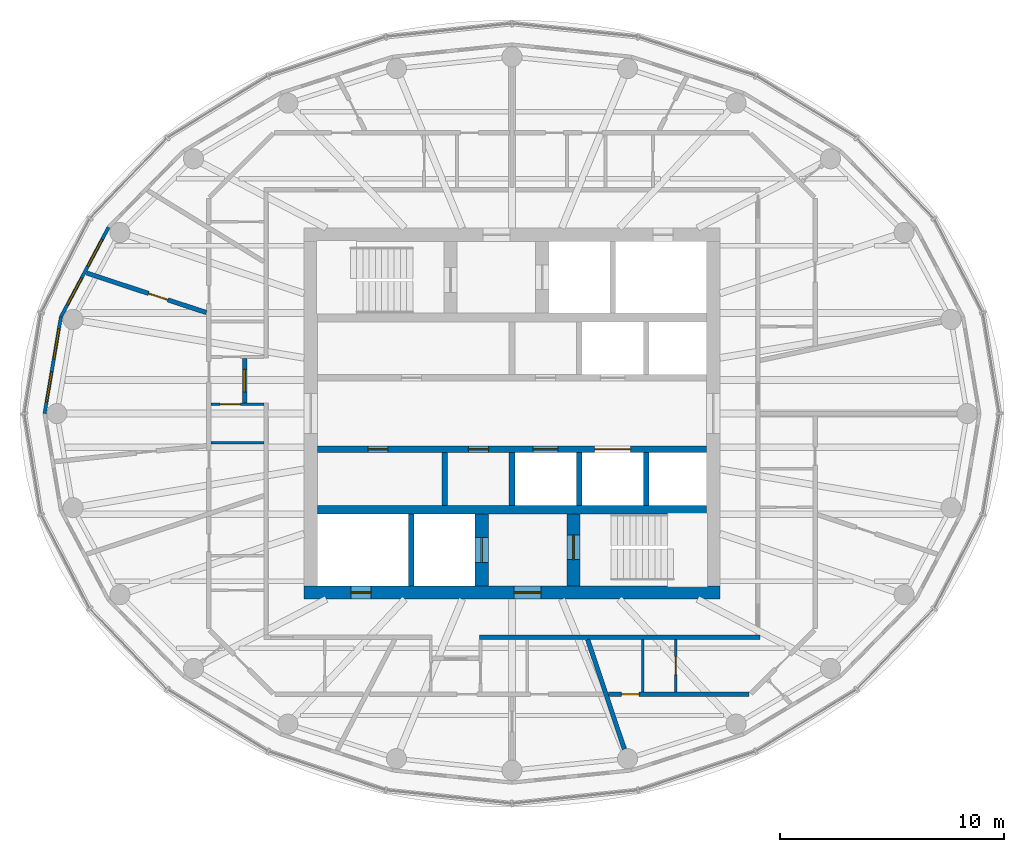
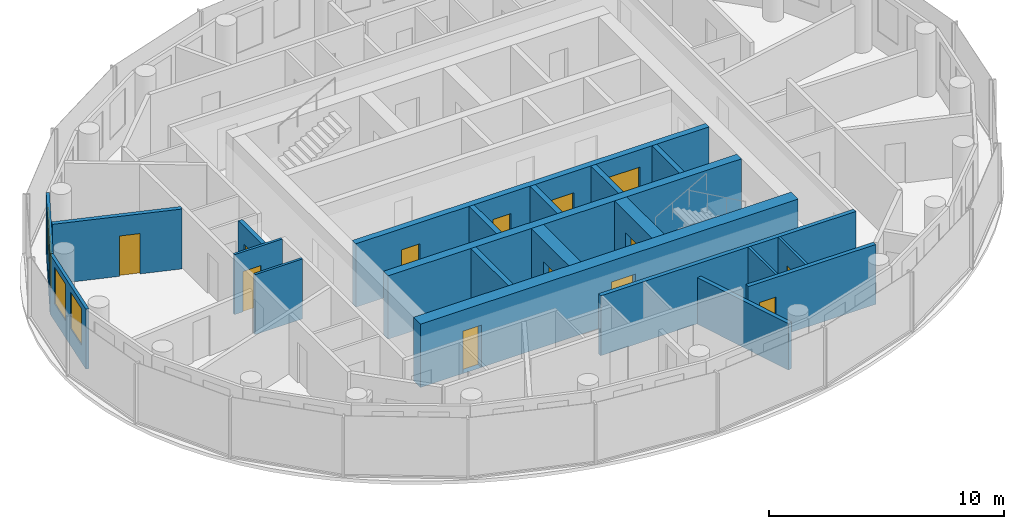
# One storey, part 6 of 11: 21 walls, 13 doors, 4 windows, 17 openings.
"""IFC4 building model written with IfcOpenShell, lengths in metres."""

from ifc_helpers import new_model, si_unit, direction, frame, frame_2d, origin, place, context, subcontext, project, spatial, rectangle, extrude, material, layer, layer_set, type_object, element, fill, save


model = new_model("IFC4")

# Units and contexts
model_context = context("Model", 3, precision=1e-05, world=origin(), true_north=direction((0.0, 1.0)))
body_context = subcontext(model_context, "Body", "Model", "MODEL_VIEW")
ifc_project = project(units=[si_unit("LENGTHUNIT", "METRE"), si_unit("AREAUNIT", "SQUARE_METRE"), si_unit("VOLUMEUNIT", "CUBIC_METRE"), si_unit("PLANEANGLEUNIT", "RADIAN"), si_unit("MASSUNIT", "GRAM", prefix="KILO")], contexts=[model_context])

# Site, building, storey
site_placement = place(None, origin())
site = spatial("IfcSite", under=ifc_project, at=site_placement, CompositionType="ELEMENT")
building_placement = place(site_placement, origin())
building = spatial("IfcBuilding", under=site, at=building_placement, Name="Hankou Lantern Tower", CompositionType="ELEMENT")
storey_placement = place(building_placement, frame((0.0, 0.0, 202.800048828125)))
storey = spatial("IfcBuildingStorey", under=building, at=storey_placement, Name="L54", CompositionType="ELEMENT", Elevation=202.800048828125)

# Wall, openings, doors
ifc_material_1 = material(Name="Concrete C60", Category="concrete")
ifc_layer_1 = layer(ifc_material_1, 0.60009765625)
ifc_layer_set_1 = layer_set([ifc_layer_1], Name="Concrete C60")
wall_type_1 = type_object("IfcWallType", Name="CW3 CORE WALL 600", PredefinedType="SHEAR", material=ifc_layer_set_1)
wall_1_placement = place(storey_placement, frame((9.300048828125, -8.0, 0.0), z_axis=(0.0, 0.0, 1.0), x_axis=(-1.0, 0.0, 0.0)))
wall_1 = element("IfcWall", 1, at=wall_1_placement, inside=storey, type_object=wall_type_1, Name="Core wall south L54", PredefinedType="SHEAR", context=body_context, shape_type="SweptSolid", body=[
    extrude(rectangle(XDim=18.60009765625, YDim=0.60009765625, at=frame_2d((9.300048828125, 0.0))), origin(), (0.0, 0.0, 1.0), 3.300048828125),
])
opening_1_placement = place(wall_1_placement, frame((8.0, 0.0, 0.0)))
opening_1 = element("IfcOpeningElement", 2, at=opening_1_placement, cuts=wall_1, Name="Opening D5", PredefinedType="OPENING", context=body_context, shape_type="SweptSolid", body=[
    extrude(rectangle(XDim=1.199951171875, YDim=2.199951171875, at=frame_2d((0.60009765625, 1.10009765625))), frame((0.0, 0.31005859375, 0.0), z_axis=(0.0, -1.0, 0.0), x_axis=(1.0, 0.0, 0.0)), (0.0, 0.0, 1.0), 0.6201171875),
])
opening_2_placement = place(wall_1_placement, frame((15.60009765625, 0.0, 0.0)))
opening_2 = element("IfcOpeningElement", 3, at=opening_2_placement, cuts=wall_1, Name="Opening D7", PredefinedType="OPENING", context=body_context, shape_type="SweptSolid", body=[
    extrude(rectangle(XDim=0.89990234375, YDim=2.199951171875, at=frame_2d((0.449951171875, 1.10009765625))), frame((0.0, 0.31005859375, 0.0), z_axis=(0.0, -1.0, 0.0), x_axis=(1.0, 0.0, 0.0)), (0.0, 0.0, 1.0), 0.6201171875),
])
ifc_material_2 = material(Name="Steel door leaf", Category="steel")
door_type_1 = type_object("IfcDoorType", Name="D5 STAIR LOBBY DOOR 1200X2200", OperationType="SINGLE_SWING_LEFT", PredefinedType="DOOR", material=ifc_material_2)
door_1_placement = place(opening_1_placement, origin())
door_1 = element("IfcDoor", 4, at=door_1_placement, inside=storey, type_object=door_type_1, Name="Stair B lobby door", OperationType="SINGLE_SWING_LEFT", OverallHeight=2.199951171875, OverallWidth=1.199951171875, PredefinedType="DOOR", context=body_context, shape_type="SweptSolid", body=[
    extrude(rectangle(XDim=1.199951171875, YDim=2.199951171875, at=frame_2d((0.60009765625, 1.10009765625))), frame((0.0, 0.02490234375, 0.0), z_axis=(0.0, -1.0, 0.0), x_axis=(1.0, 0.0, 0.0)), (0.0, 0.0, 1.0), 0.050048828125),
])
fill(opening_1, door_1)
ifc_material_3 = material(Name="Steel door leaf", Category="steel")
door_type_2 = type_object("IfcDoorType", Name="D7 RISER DOOR 900X2200", OperationType="SINGLE_SWING_LEFT", PredefinedType="DOOR", material=ifc_material_3)
door_2_placement = place(opening_2_placement, origin())
door_2 = element("IfcDoor", 5, at=door_2_placement, inside=storey, type_object=door_type_2, Name="Riser S1 door", OperationType="SINGLE_SWING_RIGHT", OverallHeight=2.199951171875, OverallWidth=0.89990234375, PredefinedType="DOOR", context=body_context, shape_type="SweptSolid", body=[
    extrude(rectangle(XDim=0.89990234375, YDim=2.199951171875, at=frame_2d((0.449951171875, 1.10009765625))), frame((0.0, 0.02490234375, 0.0), z_axis=(0.0, -1.0, 0.0), x_axis=(1.0, 0.0, 0.0)), (0.0, 0.0, 1.0), 0.050048828125),
])
fill(opening_2, door_2)

# Wall
ifc_material_4 = material(Name="Concrete C60", Category="concrete")
ifc_layer_2 = layer(ifc_material_4, 0.39990234375)
ifc_layer_set_2 = layer_set([ifc_layer_2], Name="Concrete C60")
wall_type_2 = type_object("IfcWallType", Name="CW4 CORE CROSS WALL 400", PredefinedType="SHEAR", material=ifc_layer_set_2)
wall_2_placement = place(storey_placement, frame((-8.699951171875, -4.300048828125, 0.0), z_axis=(0.0, 0.0, 1.0), x_axis=(1.0, 0.0, 0.0)))
element("IfcWall", 6, at=wall_2_placement, inside=storey, type_object=wall_type_2, Name="Core band wall south L54", PredefinedType="SHEAR", context=body_context, shape_type="SweptSolid", body=[
    extrude(rectangle(XDim=17.39990234375, YDim=0.39990234375, at=frame_2d((8.699951171875, 0.0))), origin(), (0.0, 0.0, 1.0), 3.300048828125),
])

# Wall, openings, doors
ifc_material_5 = material(Name="Concrete C60", Category="concrete")
ifc_layer_3 = layer(ifc_material_5, 0.300048828125)
ifc_layer_set_3 = layer_set([ifc_layer_3], Name="Concrete C60")
wall_type_3 = type_object("IfcWallType", Name="CW5 LIFT LOBBY WALL 300", PredefinedType="SHEAR", material=ifc_layer_set_3)
wall_3_placement = place(storey_placement, frame((-8.699951171875, -1.60009765625, 0.0), z_axis=(0.0, 0.0, 1.0), x_axis=(1.0, 0.0, 0.0)))
wall_3 = element("IfcWall", 7, at=wall_3_placement, inside=storey, type_object=wall_type_3, Name="Lift lobby wall south L54", PredefinedType="SHEAR", context=body_context, shape_type="SweptSolid", body=[
    extrude(rectangle(XDim=17.39990234375, YDim=0.300048828125, at=frame_2d((8.699951171875, 0.0))), origin(), (0.0, 0.0, 1.0), 3.300048828125),
])
opening_3_placement = place(wall_3_placement, frame((9.64990234375, 0.0, 0.0)))
opening_3 = element("IfcOpeningElement", 8, at=opening_3_placement, cuts=wall_3, Name="Opening LD1", PredefinedType="OPENING", context=body_context, shape_type="SweptSolid", body=[
    extrude(rectangle(XDim=1.10009765625, YDim=2.199951171875, at=frame_2d((0.550048828125, 1.10009765625))), frame((0.0, 0.159912109375, 0.0), z_axis=(0.0, -1.0, 0.0), x_axis=(1.0, 0.0, 0.0)), (0.0, 0.0, 1.0), 0.320068359375),
])
opening_4_placement = place(wall_3_placement, frame((12.39990234375, 0.0, 0.0)))
opening_4 = element("IfcOpeningElement", 9, at=opening_4_placement, cuts=wall_3, Name="Opening LD4", PredefinedType="OPENING", context=body_context, shape_type="SweptSolid", body=[
    extrude(rectangle(XDim=1.60009765625, YDim=2.39990234375, at=frame_2d((0.800048828125, 1.199951171875))), frame((0.0, 0.159912109375, 0.0), z_axis=(0.0, -1.0, 0.0), x_axis=(1.0, 0.0, 0.0)), (0.0, 0.0, 1.0), 0.320068359375),
])
opening_5_placement = place(wall_3_placement, frame((2.25, 0.0, 0.0)))
opening_5 = element("IfcOpeningElement", 10, at=opening_5_placement, cuts=wall_3, Name="Opening D30", PredefinedType="OPENING", context=body_context, shape_type="SweptSolid", body=[
    extrude(rectangle(XDim=0.89990234375, YDim=2.199951171875, at=frame_2d((0.449951171875, 1.10009765625))), frame((0.0, 0.159912109375, 0.0), z_axis=(0.0, -1.0, 0.0), x_axis=(1.0, 0.0, 0.0)), (0.0, 0.0, 1.0), 0.320068359375),
])
opening_6_placement = place(wall_3_placement, frame((6.75, 0.0, 0.0)))
opening_6 = element("IfcOpeningElement", 11, at=opening_6_placement, cuts=wall_3, Name="Opening D30", PredefinedType="OPENING", context=body_context, shape_type="SweptSolid", body=[
    extrude(rectangle(XDim=0.89990234375, YDim=2.199951171875, at=frame_2d((0.449951171875, 1.10009765625))), frame((0.0, 0.159912109375, 0.0), z_axis=(0.0, -1.0, 0.0), x_axis=(1.0, 0.0, 0.0)), (0.0, 0.0, 1.0), 0.320068359375),
])
ifc_material_6 = material(Name="Steel door leaf", Category="steel")
door_type_3 = type_object("IfcDoorType", Name="D30 CORE ROOM DOOR 900X2200", OperationType="SINGLE_SWING_LEFT", PredefinedType="DOOR", material=ifc_material_6)
door_3_placement = place(opening_5_placement, origin())
door_3 = element("IfcDoor", 12, at=door_3_placement, inside=storey, type_object=door_type_3, Name="Guest pantry and ice room door", OperationType="SINGLE_SWING_LEFT", OverallHeight=2.199951171875, OverallWidth=0.89990234375, PredefinedType="DOOR", context=body_context, shape_type="SweptSolid", body=[
    extrude(rectangle(XDim=0.89990234375, YDim=2.199951171875, at=frame_2d((0.449951171875, 1.10009765625))), frame((0.0, 0.02490234375, 0.0), z_axis=(0.0, -1.0, 0.0), x_axis=(1.0, 0.0, 0.0)), (0.0, 0.0, 1.0), 0.050048828125),
])
fill(opening_5, door_3)
door_4_placement = place(opening_6_placement, origin())
door_4 = element("IfcDoor", 13, at=door_4_placement, inside=storey, type_object=door_type_3, Name="Housekeeping and linen store door", OperationType="SINGLE_SWING_LEFT", OverallHeight=2.199951171875, OverallWidth=0.89990234375, PredefinedType="DOOR", context=body_context, shape_type="SweptSolid", body=[
    extrude(rectangle(XDim=0.89990234375, YDim=2.199951171875, at=frame_2d((0.449951171875, 1.10009765625))), frame((0.0, 0.02490234375, 0.0), z_axis=(0.0, -1.0, 0.0), x_axis=(1.0, 0.0, 0.0)), (0.0, 0.0, 1.0), 0.050048828125),
])
fill(opening_6, door_4)
ifc_material_7 = material(Name="Steel door leaf", Category="steel")
door_type_4 = type_object("IfcDoorType", Name="LD1 LIFT LANDING DOOR 1100X2200", OperationType="DOUBLE_DOOR_SLIDING", PredefinedType="DOOR", material=ifc_material_7)
door_5_placement = place(opening_3_placement, origin())
door_5 = element("IfcDoor", 14, at=door_5_placement, inside=storey, type_object=door_type_4, Name="Lift T2 landing door", OperationType="DOUBLE_DOOR_SLIDING", OverallHeight=2.199951171875, OverallWidth=1.10009765625, PredefinedType="DOOR", context=body_context, shape_type="SweptSolid", body=[
    extrude(rectangle(XDim=1.10009765625, YDim=2.199951171875, at=frame_2d((0.550048828125, 1.10009765625))), frame((0.0, 0.02490234375, 0.0), z_axis=(0.0, -1.0, 0.0), x_axis=(1.0, 0.0, 0.0)), (0.0, 0.0, 1.0), 0.050048828125),
])
fill(opening_3, door_5)
ifc_material_8 = material(Name="Steel door leaf", Category="steel")
door_type_5 = type_object("IfcDoorType", Name="LD4 SERVICE LIFT LANDING DOOR 1600X2400", OperationType="DOUBLE_DOOR_SLIDING", PredefinedType="DOOR", material=ifc_material_8)
door_6_placement = place(opening_4_placement, origin())
door_6 = element("IfcDoor", 15, at=door_6_placement, inside=storey, type_object=door_type_5, Name="Lift SV1 landing door", OperationType="DOUBLE_DOOR_SLIDING", OverallHeight=2.39990234375, OverallWidth=1.60009765625, PredefinedType="DOOR", context=body_context, shape_type="SweptSolid", body=[
    extrude(rectangle(XDim=1.60009765625, YDim=2.39990234375, at=frame_2d((0.800048828125, 1.199951171875))), frame((0.0, 0.02490234375, 0.0), z_axis=(0.0, -1.0, 0.0), x_axis=(1.0, 0.0, 0.0)), (0.0, 0.0, 1.0), 0.050048828125),
])
fill(opening_4, door_6)

# Wall, opening, door
ifc_material_9 = material(Name="Concrete C60", Category="concrete")
ifc_layer_4 = layer(ifc_material_9, 0.60009765625)
ifc_layer_set_4 = layer_set([ifc_layer_4], Name="Concrete C60")
wall_type_4 = type_object("IfcWallType", Name="CW6 STAIR AND SHAFT WALL 600", PredefinedType="SHEAR", material=ifc_layer_set_4)
wall_4_placement = place(storey_placement, frame((2.75, -7.699951171875, 0.0), z_axis=(0.0, 0.0, 1.0), x_axis=(0.0, 1.0, 0.0)))
wall_4 = element("IfcWall", 16, at=wall_4_placement, inside=storey, type_object=wall_type_4, Name="Stair wall L54", PredefinedType="SHEAR", context=body_context, shape_type="SweptSolid", body=[
    extrude(rectangle(XDim=3.199951171875, YDim=0.60009765625, at=frame_2d((1.60009765625, 0.0))), origin(), (0.0, 0.0, 1.0), 3.300048828125),
])
opening_7_placement = place(wall_4_placement, frame((1.175048828125, 0.0, 0.0)))
opening_7 = element("IfcOpeningElement", 17, at=opening_7_placement, cuts=wall_4, Name="Opening D4", PredefinedType="OPENING", context=body_context, shape_type="SweptSolid", body=[
    extrude(rectangle(XDim=1.10009765625, YDim=2.199951171875, at=frame_2d((0.550048828125, 1.10009765625))), frame((0.0, 0.31005859375, 0.0), z_axis=(0.0, -1.0, 0.0), x_axis=(1.0, 0.0, 0.0)), (0.0, 0.0, 1.0), 0.6201171875),
])
ifc_material_10 = material(Name="Steel door leaf", Category="steel")
door_type_6 = type_object("IfcDoorType", Name="D4 STAIR DOOR 1100X2200", OperationType="SINGLE_SWING_LEFT", PredefinedType="DOOR", material=ifc_material_10)
door_7_placement = place(opening_7_placement, origin())
door_7 = element("IfcDoor", 18, at=door_7_placement, inside=storey, type_object=door_type_6, Name="Stair B door", OperationType="SINGLE_SWING_RIGHT", OverallHeight=2.199951171875, OverallWidth=1.10009765625, PredefinedType="DOOR", context=body_context, shape_type="SweptSolid", body=[
    extrude(rectangle(XDim=1.10009765625, YDim=2.199951171875, at=frame_2d((0.550048828125, 1.10009765625))), frame((0.0, 0.02490234375, 0.0), z_axis=(0.0, -1.0, 0.0), x_axis=(1.0, 0.0, 0.0)), (0.0, 0.0, 1.0), 0.050048828125),
])
fill(opening_7, door_7)

wall_5_placement = place(storey_placement, frame((-1.35009765625, -7.699951171875, 0.0), z_axis=(0.0, 0.0, 1.0), x_axis=(0.0, 1.0, 0.0)))
wall_5 = element("IfcWall", 19, at=wall_5_placement, inside=storey, type_object=wall_type_4, Name="Firefighting lift shaft wall L54", PredefinedType="SHEAR", context=body_context, shape_type="SweptSolid", body=[
    extrude(rectangle(XDim=3.199951171875, YDim=0.60009765625, at=frame_2d((1.60009765625, 0.0))), origin(), (0.0, 0.0, 1.0), 3.300048828125),
])
opening_8_placement = place(wall_5_placement, frame((1.050048828125, 0.0, 0.0)))
opening_8 = element("IfcOpeningElement", 20, at=opening_8_placement, cuts=wall_5, Name="Opening LD2", PredefinedType="OPENING", context=body_context, shape_type="SweptSolid", body=[
    extrude(rectangle(XDim=1.10009765625, YDim=2.199951171875, at=frame_2d((0.550048828125, 1.10009765625))), frame((0.0, 0.31005859375, 0.0), z_axis=(0.0, -1.0, 0.0), x_axis=(1.0, 0.0, 0.0)), (0.0, 0.0, 1.0), 0.6201171875),
])
ifc_material_11 = material(Name="Steel door leaf", Category="steel")
door_type_7 = type_object("IfcDoorType", Name="LD2 FIREFIGHTING LIFT LANDING DOOR 1100X2200", OperationType="DOUBLE_DOOR_SLIDING", PredefinedType="DOOR", material=ifc_material_11)
door_8_placement = place(opening_8_placement, origin())
door_8 = element("IfcDoor", 21, at=door_8_placement, inside=storey, type_object=door_type_7, Name="Firefighting lift FL2 landing door", OperationType="DOUBLE_DOOR_SLIDING", OverallHeight=2.199951171875, OverallWidth=1.10009765625, PredefinedType="DOOR", context=body_context, shape_type="SweptSolid", body=[
    extrude(rectangle(XDim=1.10009765625, YDim=2.199951171875, at=frame_2d((0.550048828125, 1.10009765625))), frame((0.0, 0.02490234375, 0.0), z_axis=(0.0, -1.0, 0.0), x_axis=(1.0, 0.0, 0.0)), (0.0, 0.0, 1.0), 0.050048828125),
])
fill(opening_8, door_8)

# Wall, openings, windows
ifc_material_12 = material(Name="Aluminium spandrel panel on steel studs", Category="steel")
ifc_layer_5 = layer(ifc_material_12, 0.14990234375)
ifc_layer_set_5 = layer_set([ifc_layer_5], Name="Aluminium spandrel panel on steel studs")
wall_type_5 = type_object("IfcWallType", Name="EW1 INNER SKIN WALL 150", PredefinedType="ELEMENTEDWALL", material=ifc_layer_set_5)
wall_6_placement = place(storey_placement, frame((-18.03955078125, 8.33203125, 0.0), z_axis=(0.0, 0.0, 1.0), x_axis=(-0.469256152955, -0.883062094597, 0.0)))
wall_6 = element("IfcWall", 22, at=wall_6_placement, inside=storey, type_object=wall_type_5, Name="Inner skin R11-R12 L54", PredefinedType="ELEMENTEDWALL", context=body_context, shape_type="SweptSolid", body=[
    extrude(rectangle(XDim=4.539306640625, YDim=0.14990234375, at=frame_2d((2.26953125, 0.0))), origin(), (0.0, 0.0, 1.0), 3.119873046875),
])
opening_9_placement = place(wall_6_placement, frame((0.61962890625, 0.0, 0.89990234375)))
opening_9 = element("IfcOpeningElement", 23, at=opening_9_placement, cuts=wall_6, Name="Opening W4", PredefinedType="OPENING", context=body_context, shape_type="SweptSolid", body=[
    extrude(rectangle(XDim=1.35009765625, YDim=1.89990234375, at=frame_2d((0.675048828125, 0.949951171875))), frame((0.0, 0.0849609375, 0.0), z_axis=(0.0, -1.0, 0.0), x_axis=(1.0, 0.0, 0.0)), (0.0, 0.0, 1.0), 0.169921875),
])
opening_10_placement = place(wall_6_placement, frame((2.569580078125, 0.0, 0.89990234375)))
opening_10 = element("IfcOpeningElement", 24, at=opening_10_placement, cuts=wall_6, Name="Opening W4", PredefinedType="OPENING", context=body_context, shape_type="SweptSolid", body=[
    extrude(rectangle(XDim=1.35009765625, YDim=1.89990234375, at=frame_2d((0.675048828125, 0.949951171875))), frame((0.0, 0.0849609375, 0.0), z_axis=(0.0, -1.0, 0.0), x_axis=(1.0, 0.0, 0.0)), (0.0, 0.0, 1.0), 0.169921875),
])
ifc_material_13 = material(Name="Aluminium framed double glazed window", Category="aluminium")
window_type = type_object("IfcWindowType", Name="W4 SUITE WINDOW 1350X1900", PartitioningType="DOUBLE_PANEL_VERTICAL", PredefinedType="WINDOW", material=ifc_material_13)
window_1_placement = place(opening_9_placement, origin())
window_1 = element("IfcWindow", 25, at=window_1_placement, inside=storey, type_object=window_type, Name="Window R11.1 L54", OverallHeight=1.89990234375, OverallWidth=1.35009765625, PartitioningType="SINGLE_PANEL", PredefinedType="WINDOW", context=body_context, shape_type="SweptSolid", body=[
    extrude(rectangle(XDim=1.35009765625, YDim=1.89990234375, at=frame_2d((0.675048828125, 0.949951171875))), frame((0.0, 0.030029296875, 0.0), z_axis=(0.0, -1.0, 0.0), x_axis=(1.0, 0.0, 0.0)), (0.0, 0.0, 1.0), 0.06005859375),
])
fill(opening_9, window_1)
window_2_placement = place(opening_10_placement, origin())
window_2 = element("IfcWindow", 26, at=window_2_placement, inside=storey, type_object=window_type, Name="Window R11.2 L54", OverallHeight=1.89990234375, OverallWidth=1.35009765625, PartitioningType="SINGLE_PANEL", PredefinedType="WINDOW", context=body_context, shape_type="SweptSolid", body=[
    extrude(rectangle(XDim=1.35009765625, YDim=1.89990234375, at=frame_2d((0.675048828125, 0.949951171875))), frame((0.0, 0.030029296875, 0.0), z_axis=(0.0, -1.0, 0.0), x_axis=(1.0, 0.0, 0.0)), (0.0, 0.0, 1.0), 0.06005859375),
])
fill(opening_10, window_2)

wall_7_placement = place(storey_placement, frame((-20.169677734375, 4.323486328125, 0.0), z_axis=(0.0, 0.0, 1.0), x_axis=(-0.166538513568, -0.986034950445, 0.0)))
wall_7 = element("IfcWall", 27, at=wall_7_placement, inside=storey, type_object=wall_type_5, Name="Inner skin R12-R13 L54", PredefinedType="ELEMENTEDWALL", context=body_context, shape_type="SweptSolid", body=[
    extrude(rectangle(XDim=4.384765625, YDim=0.14990234375, at=frame_2d((2.1923828125, 0.0))), origin(), (0.0, 0.0, 1.0), 3.119873046875),
])
opening_11_placement = place(wall_7_placement, frame((0.54248046875, 0.0, 0.89990234375)))
opening_11 = element("IfcOpeningElement", 28, at=opening_11_placement, cuts=wall_7, Name="Opening W4", PredefinedType="OPENING", context=body_context, shape_type="SweptSolid", body=[
    extrude(rectangle(XDim=1.35009765625, YDim=1.89990234375, at=frame_2d((0.675048828125, 0.949951171875))), frame((0.0, 0.0849609375, 0.0), z_axis=(0.0, -1.0, 0.0), x_axis=(1.0, 0.0, 0.0)), (0.0, 0.0, 1.0), 0.169921875),
])
opening_12_placement = place(wall_7_placement, frame((2.492431640625, 0.0, 0.89990234375)))
opening_12 = element("IfcOpeningElement", 29, at=opening_12_placement, cuts=wall_7, Name="Opening W4", PredefinedType="OPENING", context=body_context, shape_type="SweptSolid", body=[
    extrude(rectangle(XDim=1.35009765625, YDim=1.89990234375, at=frame_2d((0.675048828125, 0.949951171875))), frame((0.0, 0.0849609375, 0.0), z_axis=(0.0, -1.0, 0.0), x_axis=(1.0, 0.0, 0.0)), (0.0, 0.0, 1.0), 0.169921875),
])
window_3_placement = place(opening_11_placement, origin())
window_3 = element("IfcWindow", 30, at=window_3_placement, inside=storey, type_object=window_type, Name="Window R12.1 L54", OverallHeight=1.89990234375, OverallWidth=1.35009765625, PartitioningType="SINGLE_PANEL", PredefinedType="WINDOW", context=body_context, shape_type="SweptSolid", body=[
    extrude(rectangle(XDim=1.35009765625, YDim=1.89990234375, at=frame_2d((0.675048828125, 0.949951171875))), frame((0.0, 0.030029296875, 0.0), z_axis=(0.0, -1.0, 0.0), x_axis=(1.0, 0.0, 0.0)), (0.0, 0.0, 1.0), 0.06005859375),
])
fill(opening_11, window_3)
window_4_placement = place(opening_12_placement, origin())
window_4 = element("IfcWindow", 31, at=window_4_placement, inside=storey, type_object=window_type, Name="Window R12.2 L54", OverallHeight=1.89990234375, OverallWidth=1.35009765625, PartitioningType="SINGLE_PANEL", PredefinedType="WINDOW", context=body_context, shape_type="SweptSolid", body=[
    extrude(rectangle(XDim=1.35009765625, YDim=1.89990234375, at=frame_2d((0.675048828125, 0.949951171875))), frame((0.0, 0.030029296875, 0.0), z_axis=(0.0, -1.0, 0.0), x_axis=(1.0, 0.0, 0.0)), (0.0, 0.0, 1.0), 0.06005859375),
])
fill(opening_12, window_4)

# Walls
ifc_material_14 = material(Name="Masonry lightweight concrete block", Category="masonry")
ifc_layer_6 = layer(ifc_material_14, 0.199951171875)
ifc_layer_set_6 = layer_set([ifc_layer_6], Name="Masonry lightweight concrete block")
wall_type_6 = type_object("IfcWallType", Name="IW1 GUEST ROOM PARTY WALL 200", PredefinedType="PARTITIONING", material=ifc_layer_set_6)
wall_8_placement = place(storey_placement, frame((3.3828125, -10.10009765625, 0.0), z_axis=(0.0, 0.0, 1.0), x_axis=(0.317602151035, -0.948224063003, 0.0)))
element("IfcWall", 32, at=wall_8_placement, inside=storey, type_object=wall_type_6, Name="Party wall R20", PredefinedType="PARTITIONING", context=body_context, shape_type="SweptSolid", body=[
    extrude(rectangle(XDim=5.16796875, YDim=0.199951171875, at=frame_2d((2.583984375, 0.0))), origin(), (0.0, 0.0, 1.0), 2.419921875),
])
ifc_material_15 = material(Name="Masonry lightweight concrete block", Category="masonry")
ifc_layer_7 = layer(ifc_material_15, 0.199951171875)
ifc_layer_set_7 = layer_set([ifc_layer_7], Name="Masonry lightweight concrete block")
wall_type_7 = type_object("IfcWallType", Name="IW2 CORRIDOR WALL 200", PredefinedType="PARTITIONING", material=ifc_layer_set_7)
wall_9_placement = place(storey_placement, frame((11.10009765625, -10.0, 0.0), z_axis=(0.0, 0.0, 1.0), x_axis=(-1.0, 0.0, 0.0)))
element("IfcWall", 33, at=wall_9_placement, inside=storey, type_object=wall_type_7, Name="Corridor wall south", PredefinedType="PARTITIONING", context=body_context, shape_type="SweptSolid", body=[
    extrude(rectangle(XDim=12.55908203125, YDim=0.199951171875, at=frame_2d((6.279541015625, 0.0))), origin(), (0.0, 0.0, 1.0), 3.119873046875),
])

# Wall, opening, door
wall_10_placement = place(storey_placement, frame((-11.949951171875, 2.474365234375, 0.0), z_axis=(0.0, 0.0, 1.0), x_axis=(0.0, -1.0, 0.0)))
wall_10 = element("IfcWall", 34, at=wall_10_placement, inside=storey, type_object=wall_type_7, Name="Suite entrance recess wall 5404", PredefinedType="PARTITIONING", context=body_context, shape_type="SweptSolid", body=[
    extrude(rectangle(XDim=2.0, YDim=0.199951171875, at=frame_2d((1.0, 0.0))), origin(), (0.0, 0.0, 1.0), 3.119873046875),
])
opening_13_placement = place(wall_10_placement, frame((0.5, 0.0, 0.0)))
opening_13 = element("IfcOpeningElement", 35, at=opening_13_placement, cuts=wall_10, Name="Opening D2", PredefinedType="OPENING", context=body_context, shape_type="SweptSolid", body=[
    extrude(rectangle(XDim=1.0, YDim=2.199951171875, at=frame_2d((0.5, 1.10009765625))), frame((0.0, 0.10986328125, 0.0), z_axis=(0.0, -1.0, 0.0), x_axis=(1.0, 0.0, 0.0)), (0.0, 0.0, 1.0), 0.219970703125),
])
ifc_material_16 = material(Name="Steel door leaf", Category="steel")
door_type_8 = type_object("IfcDoorType", Name="D2 SUITE DOOR 1000X2200", OperationType="SINGLE_SWING_LEFT", PredefinedType="DOOR", material=ifc_material_16)
door_9_placement = place(opening_13_placement, origin())
door_9 = element("IfcDoor", 36, at=door_9_placement, inside=storey, type_object=door_type_8, Name="Suite door 5404", OperationType="SINGLE_SWING_RIGHT", OverallHeight=2.199951171875, OverallWidth=1.0, PredefinedType="DOOR", context=body_context, shape_type="SweptSolid", body=[
    extrude(rectangle(XDim=1.0, YDim=2.199951171875, at=frame_2d((0.5, 1.10009765625))), frame((0.0, 0.02490234375, 0.0), z_axis=(0.0, -1.0, 0.0), x_axis=(1.0, 0.0, 0.0)), (0.0, 0.0, 1.0), 0.050048828125),
])
fill(opening_13, door_9)

ifc_material_17 = material(Name="Masonry lightweight concrete block", Category="masonry")
ifc_layer_8 = layer(ifc_material_17, 0.1201171875)
ifc_layer_set_8 = layer_set([ifc_layer_8], Name="Masonry lightweight concrete block")
wall_type_8 = type_object("IfcWallType", Name="IW3 BATHROOM WALL 120", PredefinedType="PARTITIONING", material=ifc_layer_set_8)
wall_11_placement = place(storey_placement, frame((-11.10009765625, 0.414306640625, 0.0), z_axis=(0.0, 0.0, 1.0), x_axis=(-1.0, 0.0, 0.0)))
wall_11 = element("IfcWall", 37, at=wall_11_placement, inside=storey, type_object=wall_type_8, Name="Box wall 5404 3", PredefinedType="PARTITIONING", context=body_context, shape_type="SweptSolid", body=[
    extrude(rectangle(XDim=2.349853515625, YDim=0.1201171875, at=frame_2d((1.1748046875, 0.0))), origin(), (0.0, 0.0, 1.0), 3.119873046875),
])
opening_14_placement = place(wall_11_placement, frame((1.050048828125, 0.0, 0.0)))
opening_14 = element("IfcOpeningElement", 38, at=opening_14_placement, cuts=wall_11, Name="Opening D27", PredefinedType="OPENING", context=body_context, shape_type="SweptSolid", body=[
    extrude(rectangle(XDim=0.89990234375, YDim=2.10009765625, at=frame_2d((0.449951171875, 1.050048828125))), frame((0.0, 0.070068359375, 0.0), z_axis=(0.0, -1.0, 0.0), x_axis=(1.0, 0.0, 0.0)), (0.0, 0.0, 1.0), 0.14013671875),
])
ifc_material_18 = material(Name="Timber door leaf", Category="wood")
door_type_9 = type_object("IfcDoorType", Name="D27 INTERNAL DOOR 900X2100", OperationType="SINGLE_SWING_LEFT", PredefinedType="DOOR", material=ifc_material_18)
door_10_placement = place(opening_14_placement, origin())
door_10 = element("IfcDoor", 39, at=door_10_placement, inside=storey, type_object=door_type_9, Name="Family suite 5404 walk-in wardrobe door", OperationType="SINGLE_SWING_RIGHT", OverallHeight=2.10009765625, OverallWidth=0.89990234375, PredefinedType="DOOR", context=body_context, shape_type="SweptSolid", body=[
    extrude(rectangle(XDim=0.89990234375, YDim=2.10009765625, at=frame_2d((0.449951171875, 1.050048828125))), frame((0.0, 0.02490234375, 0.0), z_axis=(0.0, -1.0, 0.0), x_axis=(1.0, 0.0, 0.0)), (0.0, 0.0, 1.0), 0.050048828125),
])
fill(opening_14, door_10)

# Walls
for number, where, z_axis, x_axis, name in (
    (40, (-11.10009765625, -1.3056640625, 0.0), (0.0, 0.0, 1.0), (-1.0, 0.0, 0.0), "Box wall 5404 4"),
    (41, (5.849365234375, -10.10009765625, 0.0), (0.0, 0.0, 1.0), (0.0, -1.0, 0.0), "Box wall 5407 1"),
):
    element("IfcWall", number, at=place(storey_placement, frame(where, z_axis=z_axis, x_axis=x_axis)), inside=storey, type_object=wall_type_8, Name=name, PredefinedType="PARTITIONING", context=body_context, shape_type="SweptSolid", body=[
        extrude(rectangle(XDim=2.349853515625, YDim=0.1201171875, at=frame_2d((1.1748046875, 0.0))), origin(), (0.0, 0.0, 1.0), 3.119873046875),
    ])

# Wall, opening, door
wall_12_placement = place(storey_placement, frame((7.3193359375, -10.10009765625, 0.0), z_axis=(0.0, 0.0, 1.0), x_axis=(0.0, -1.0, 0.0)))
wall_12 = element("IfcWall", 42, at=wall_12_placement, inside=storey, type_object=wall_type_8, Name="Box wall 5407 2", PredefinedType="PARTITIONING", context=body_context, shape_type="SweptSolid", body=[
    extrude(rectangle(XDim=2.349853515625, YDim=0.1201171875, at=frame_2d((1.1748046875, 0.0))), origin(), (0.0, 0.0, 1.0), 3.119873046875),
])
opening_15_placement = place(wall_12_placement, frame((0.77001953125, 0.0, 0.0)))
opening_15 = element("IfcOpeningElement", 43, at=opening_15_placement, cuts=wall_12, Name="Opening D3", PredefinedType="OPENING", context=body_context, shape_type="SweptSolid", body=[
    extrude(rectangle(XDim=0.800048828125, YDim=2.10009765625, at=frame_2d((0.39990234375, 1.050048828125))), frame((0.0, 0.070068359375, 0.0), z_axis=(0.0, -1.0, 0.0), x_axis=(1.0, 0.0, 0.0)), (0.0, 0.0, 1.0), 0.14013671875),
])
ifc_material_19 = material(Name="Timber door leaf", Category="wood")
door_type_10 = type_object("IfcDoorType", Name="D3 BATHROOM DOOR 800X2100", OperationType="SINGLE_SWING_LEFT", PredefinedType="DOOR", material=ifc_material_19)
door_11_placement = place(opening_15_placement, origin())
door_11 = element("IfcDoor", 44, at=door_11_placement, inside=storey, type_object=door_type_10, Name="Family suite 5407 guest WC door", OperationType="SINGLE_SWING_LEFT", OverallHeight=2.10009765625, OverallWidth=0.800048828125, PredefinedType="DOOR", context=body_context, shape_type="SweptSolid", body=[
    extrude(rectangle(XDim=0.800048828125, YDim=2.10009765625, at=frame_2d((0.39990234375, 1.050048828125))), frame((0.0, 0.02490234375, 0.0), z_axis=(0.0, -1.0, 0.0), x_axis=(1.0, 0.0, 0.0)), (0.0, 0.0, 1.0), 0.050048828125),
])
fill(opening_15, door_11)

ifc_material_20 = material(Name="Masonry lightweight concrete block", Category="masonry")
ifc_layer_9 = layer(ifc_material_20, 0.199951171875)
ifc_layer_set_9 = layer_set([ifc_layer_9], Name="Masonry lightweight concrete block")
wall_type_9 = type_object("IfcWallType", Name="IW6 SUITE PARTITION 200", PredefinedType="PARTITIONING", material=ifc_layer_set_9)
wall_13_placement = place(storey_placement, frame((-13.664306640625, 4.516357421875, 0.0), z_axis=(0.0, 0.0, 1.0), x_axis=(-0.949481375941, 0.313823384632, 0.0)))
wall_13 = element("IfcWall", 45, at=wall_13_placement, inside=storey, type_object=wall_type_9, Name="Suite partition R11-R12", PredefinedType="PARTITIONING", context=body_context, shape_type="SweptSolid", body=[
    extrude(rectangle(XDim=5.637939453125, YDim=0.199951171875, at=frame_2d((2.81884765625, 0.0))), origin(), (0.0, 0.0, 1.0), 3.119873046875),
])
opening_16_placement = place(wall_13_placement, frame((1.820068359375, 0.0, 0.0)))
opening_16 = element("IfcOpeningElement", 46, at=opening_16_placement, cuts=wall_13, Name="Opening D27", PredefinedType="OPENING", context=body_context, shape_type="SweptSolid", body=[
    extrude(rectangle(XDim=0.89990234375, YDim=2.10009765625, at=frame_2d((0.449951171875, 1.050048828125))), frame((0.0, 0.10986328125, 0.0), z_axis=(0.0, -1.0, 0.0), x_axis=(1.0, 0.0, 0.0)), (0.0, 0.0, 1.0), 0.219970703125),
])
door_12_placement = place(opening_16_placement, origin())
door_12 = element("IfcDoor", 47, at=door_12_placement, inside=storey, type_object=door_type_9, Name="Family suite 5404 bedroom door", OperationType="SINGLE_SWING_LEFT", OverallHeight=2.10009765625, OverallWidth=0.89990234375, PredefinedType="DOOR", context=body_context, shape_type="SweptSolid", body=[
    extrude(rectangle(XDim=0.89990234375, YDim=2.10009765625, at=frame_2d((0.449951171875, 1.050048828125))), frame((0.0, 0.02490234375, 0.0), z_axis=(0.0, -1.0, 0.0), x_axis=(1.0, 0.0, 0.0)), (0.0, 0.0, 1.0), 0.050048828125),
])
fill(opening_16, door_12)

wall_14_placement = place(storey_placement, frame((4.324951171875, -12.550048828125, 0.0), z_axis=(0.0, 0.0, 1.0), x_axis=(1.0, 0.0, 0.0)))
wall_14 = element("IfcWall", 48, at=wall_14_placement, inside=storey, type_object=wall_type_9, Name="Suite foyer wall 5407", PredefinedType="PARTITIONING", context=body_context, shape_type="SweptSolid", body=[
    extrude(rectangle(XDim=6.28369140625, YDim=0.199951171875, at=frame_2d((3.141845703125, 0.0))), origin(), (0.0, 0.0, 1.0), 3.119873046875),
])
opening_17_placement = place(wall_14_placement, frame((0.564453125, 0.0, 0.0)))
opening_17 = element("IfcOpeningElement", 49, at=opening_17_placement, cuts=wall_14, Name="Opening D3", PredefinedType="OPENING", context=body_context, shape_type="SweptSolid", body=[
    extrude(rectangle(XDim=0.800048828125, YDim=2.10009765625, at=frame_2d((0.39990234375, 1.050048828125))), frame((0.0, 0.10986328125, 0.0), z_axis=(0.0, -1.0, 0.0), x_axis=(1.0, 0.0, 0.0)), (0.0, 0.0, 1.0), 0.219970703125),
])
door_13_placement = place(opening_17_placement, origin())
door_13 = element("IfcDoor", 50, at=door_13_placement, inside=storey, type_object=door_type_10, Name="Family suite 5407 bathroom door", OperationType="SINGLE_SWING_RIGHT", OverallHeight=2.10009765625, OverallWidth=0.800048828125, PredefinedType="DOOR", context=body_context, shape_type="SweptSolid", body=[
    extrude(rectangle(XDim=0.800048828125, YDim=2.10009765625, at=frame_2d((0.39990234375, 1.050048828125))), frame((0.0, 0.02490234375, 0.0), z_axis=(0.0, -1.0, 0.0), x_axis=(1.0, 0.0, 0.0)), (0.0, 0.0, 1.0), 0.050048828125),
])
fill(opening_17, door_13)

# Walls
ifc_material_21 = material(Name="Masonry autoclaved aerated concrete block", Category="masonry")
ifc_layer_10 = layer(ifc_material_21, 0.25)
ifc_layer_set_10 = layer_set([ifc_layer_10], Name="Masonry autoclaved aerated concrete block")
wall_type_10 = type_object("IfcWallType", Name="SW1 SHAFT BLOCK WALL 250", PredefinedType="PARTITIONING", material=ifc_layer_set_10)
wall_15_placement = place(storey_placement, frame((-4.5, -7.699951171875, 0.0), z_axis=(0.0, 0.0, 1.0), x_axis=(0.0, 1.0, 0.0)))
element("IfcWall", 51, at=wall_15_placement, inside=storey, type_object=wall_type_10, Name="Riser wall L54", PredefinedType="PARTITIONING", context=body_context, shape_type="SweptSolid", body=[
    extrude(rectangle(XDim=3.199951171875, YDim=0.25, at=frame_2d((1.60009765625, 0.0))), origin(), (0.0, 0.0, 1.0), 3.300048828125),
])
for number, where, z_axis, x_axis, name in (
    (52, (-3.0, -4.10009765625, 0.0), (0.0, 0.0, 1.0), (0.0, 1.0, 0.0), "Lift shaft wall L54"),
    (53, (0.0, -4.10009765625, 0.0), (0.0, 0.0, 1.0), (0.0, 1.0, 0.0), "Lift shaft wall L54"),
    (54, (3.0, -4.10009765625, 0.0), (0.0, 0.0, 1.0), (0.0, 1.0, 0.0), "Lift shaft wall L54"),
    (55, (6.0, -4.10009765625, 0.0), (0.0, 0.0, 1.0), (0.0, 1.0, 0.0), "Lift shaft wall L54"),
):
    element("IfcWall", number, at=place(storey_placement, frame(where, z_axis=z_axis, x_axis=x_axis)), inside=storey, type_object=wall_type_10, Name=name, PredefinedType="PARTITIONING", context=body_context, shape_type="SweptSolid", body=[
        extrude(rectangle(XDim=2.35009765625, YDim=0.25, at=frame_2d((1.175048828125, 0.0))), origin(), (0.0, 0.0, 1.0), 3.300048828125),
    ])

save(model, "model.ifc")
